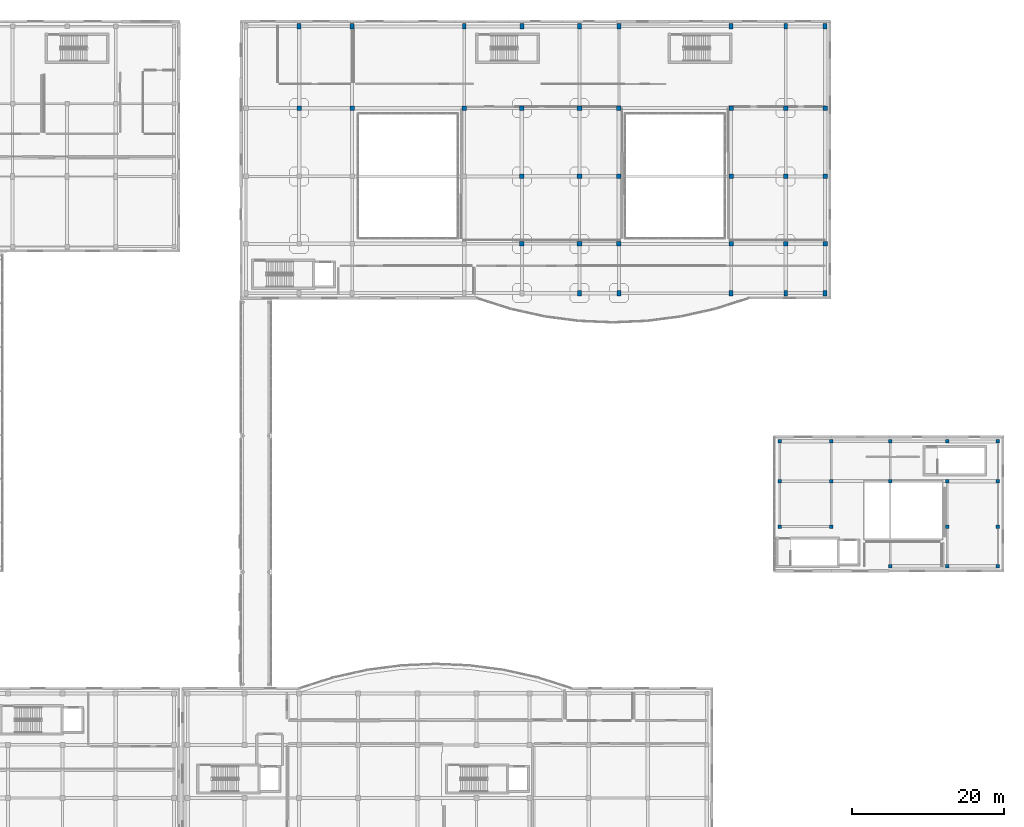
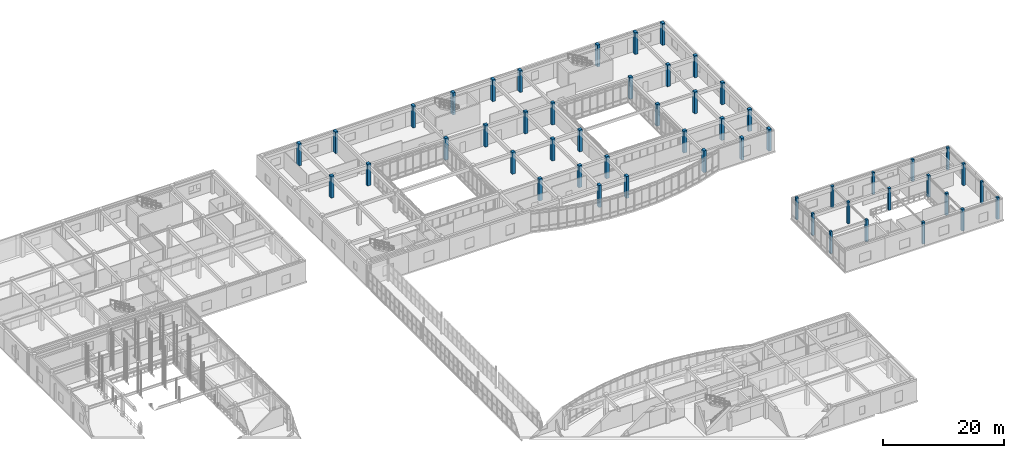
# One storey, part 13 of 142: 52 columns.
"""IFC4 building model written with IfcOpenShell, lengths in metres."""

import ifcopenshell
import ifcopenshell.guid

model = None  # the IFC model being written
_history = None  # IfcOwnerHistory: only IFC2X3 demands one
_inside = {}  # id of a spatial element -> (the spatial element, [elements in it])
_under = {}  # id of a project, library or spatial element -> (it, [spatial elements below it])
_declared = {}  # id of a project -> (the project, [libraries it declares])
_typed = {}  # id of a type object -> (the type object, [elements of that type])
_made_of = {}  # id of a material, layer set ... -> (it, [elements and type objects made of it])


def new_model(schema):
    """Start an empty IFC model of exactly this schema.

    Asked for "IFC4X3", IfcOpenShell would pick the latest addendum, in which some entities
    have other attributes; the version numbers below select the first issue.
    IFC2X3 requires an IfcOwnerHistory on every rooted entity: one is made here for all.
    """
    global model, _history
    if schema == "IFC4X3":
        model = ifcopenshell.file(schema_version=(4, 3, 0, 0))
    else:
        model = ifcopenshell.file(schema=schema)
    _inside.clear()
    _under.clear()
    _declared.clear()
    _typed.clear()
    _made_of.clear()
    _history = None
    if model.schema == "IFC2X3":
        org = make("IfcOrganization", Name="unknown")
        user = make(
            "IfcPersonAndOrganization",
            ThePerson=make("IfcPerson", FamilyName="unknown"),
            TheOrganization=org,
        )
        app = make(
            "IfcApplication",
            ApplicationDeveloper=org,
            Version="unknown",
            ApplicationFullName="unknown",
            ApplicationIdentifier="unknown",
        )
        _history = make(
            "IfcOwnerHistory",
            OwningUser=user,
            OwningApplication=app,
            ChangeAction="ADDED",
            CreationDate=0,
        )
    return model


def make(cls, **values):
    """One entity of the class cls with the attributes given. An attribute that is None is left unset."""
    return model.create_entity(
        cls, **{name: value for name, value in values.items() if value is not None}
    )


def rooted(cls, **values):
    """An entity with a GlobalId (a new one), such as an element, a storey or a relation."""
    return make(cls, GlobalId=ifcopenshell.guid.new(), OwnerHistory=_history, **values)


def si_unit(unit_type, name, prefix=None):
    """IfcSIUnit, for example si_unit("LENGTHUNIT", "METRE", prefix="MILLI")."""
    return make("IfcSIUnit", UnitType=unit_type, Prefix=prefix, Name=name)


def assignment(units):
    """IfcUnitAssignment: the units of a project."""
    return None if units is None else make("IfcUnitAssignment", Units=units)


def point(xyz):
    """IfcCartesianPoint."""
    return None if xyz is None else make("IfcCartesianPoint", Coordinates=xyz)


def direction(xyz):
    """IfcDirection."""
    return None if xyz is None else make("IfcDirection", DirectionRatios=xyz)


def frame(location, z_axis=None, x_axis=None):
    """IfcAxis2Placement3D, a coordinate frame: its origin and axes. An axis left out is left unset."""
    return make(
        "IfcAxis2Placement3D",
        Location=point(location),
        Axis=direction(z_axis),
        RefDirection=direction(x_axis),
    )


def frame_2d(location, x_axis=None):
    """IfcAxis2Placement2D, a coordinate frame in the plane: its origin and x axis."""
    return make(
        "IfcAxis2Placement2D", Location=point(location), RefDirection=direction(x_axis)
    )


def origin():
    """The frame at (0, 0, 0) with its axes left unset."""
    return frame((0.0, 0.0, 0.0))


def origin_2d():
    """The frame at (0, 0) in the plane with its x axis left unset."""
    return frame_2d((0.0, 0.0))


def place(relative_to, where):
    """IfcLocalPlacement: puts the frame where relative to a parent placement (None: the world)."""
    return make(
        "IfcLocalPlacement", PlacementRelTo=relative_to, RelativePlacement=where
    )


def context(
    kind, dimensions, precision=None, world=None, true_north=None, identifier=None
):
    """IfcGeometricRepresentationContext, for example the 3D "Model" context."""
    return make(
        "IfcGeometricRepresentationContext",
        ContextIdentifier=identifier,
        ContextType=kind,
        CoordinateSpaceDimension=dimensions,
        Precision=precision,
        WorldCoordinateSystem=world,
        TrueNorth=true_north,
    )


def subcontext(parent, identifier, kind, view, scale=None):
    """IfcGeometricRepresentationSubContext, for example "Body" below "Model"."""
    return make(
        "IfcGeometricRepresentationSubContext",
        ContextIdentifier=identifier,
        ContextType=kind,
        ParentContext=parent,
        TargetScale=scale,
        TargetView=view,
    )


def project(units=None, contexts=None):
    """IfcProject with its units and contexts."""
    return rooted(
        "IfcProject",
        Name="project",
        RepresentationContexts=contexts,
        UnitsInContext=assignment(units),
    )


def spatial(cls, under=None, at=None, **own):
    """A site, building, storey or space (cls), placed at a placement, below another one or the project."""
    s = rooted(cls, ObjectPlacement=at, **own)
    if under is not None:
        _under.setdefault(under.id(), (under, []))[1].append(s)
    return s


def profile(cls, at=None, kind="AREA", **sizes):
    """A parametric profile (cls). Its sizes go by their IFC names, for example OverallWidth=200.0."""
    return make(cls, ProfileType=kind, Position=at, **sizes)


def rectangle(**sizes):
    """IfcRectangleProfileDef."""
    return profile("IfcRectangleProfileDef", **sizes)


def extrude(swept, where, along, depth):
    """IfcExtrudedAreaSolid: the profile swept, set in the frame where, extruded along a direction by depth."""
    return make(
        "IfcExtrudedAreaSolid",
        SweptArea=swept,
        Position=where,
        ExtrudedDirection=direction(along),
        Depth=depth,
    )


def shape(context_of_items, identifier, shape_type, items):
    """IfcShapeRepresentation: the items that make up one representation, for example the "Body"."""
    return make(
        "IfcShapeRepresentation",
        ContextOfItems=context_of_items,
        RepresentationIdentifier=identifier,
        RepresentationType=shape_type,
        Items=items,
    )


def material(Name=None, Category=None):
    """IfcMaterial."""
    return make("IfcMaterial", Name=Name, Category=Category)


def material_profile(
    of_material, cross_section, Name=None, Category=None, Priority=None
):
    """IfcMaterialProfile: a cross section and its material."""
    return make(
        "IfcMaterialProfile",
        Name=Name,
        Material=of_material,
        Profile=cross_section,
        Priority=Priority,
        Category=Category,
    )


def profile_set(profiles, Name=None, composite=None):
    """IfcMaterialProfileSet."""
    return make(
        "IfcMaterialProfileSet",
        Name=Name,
        MaterialProfiles=profiles,
        CompositeProfile=composite,
    )


def made_of(thing, what):
    """Note that an element or type object is made of a material, layer set ...; save() writes the relation."""
    if what is not None:
        _made_of.setdefault(what.id(), (what, []))[1].append(thing)
    return thing


def type_object(cls, material=None, **own):
    """A type object (cls), such as IfcWallType, which elements share."""
    return made_of(rooted(cls, **own), material)


def element(
    cls,
    number,
    at=None,
    inside=None,
    cuts=None,
    type_object=None,
    material=None,
    context=None,
    identifier="Body",
    shape_type=None,
    held_by="IfcProductDefinitionShape",
    body=None,
    shapes=None,
    **own,
):
    """One element of the class cls, such as IfcWall. Its Tag is "e" and its number.

    at: its placement. inside: the storey or other place that contains it. cuts: it is an
    opening in that element (IfcRelVoidsElement). A single representation is given by context,
    identifier, shape_type and body (its items); several are given by shapes. held_by: the class
    of the entity that holds the representations. save() writes the other relations.
    """
    e = rooted(cls, Tag="e%d" % number, ObjectPlacement=at, **own)
    if body is not None:
        shapes = [shape(context, identifier, shape_type, body)]
    if shapes is not None:
        e.Representation = make(held_by, Representations=shapes)
    if inside is not None:
        _inside.setdefault(inside.id(), (inside, []))[1].append(e)
    if cuts is not None:
        rooted(
            "IfcRelVoidsElement", RelatingBuildingElement=cuts, RelatedOpeningElement=e
        )
    if type_object is not None:
        _typed.setdefault(type_object.id(), (type_object, []))[1].append(e)
    return made_of(e, material)


def aggregate(whole, parts):
    """IfcRelAggregates: a whole, such as a stair, and the parts it consists of."""
    return rooted("IfcRelAggregates", RelatingObject=whole, RelatedObjects=parts)


def save(model, path):
    """Write the relations noted so far, then the file.

    IfcRelAggregates (storeys below a building ...), IfcRelContainedInSpatialStructure (elements
    in a storey), IfcRelDefinesByType, IfcRelAssociatesMaterial and IfcRelDeclares: one each for
    every whole, place, type object, material and project.
    """
    for whole, parts in _under.values():
        aggregate(whole, parts)
    for where, things in _inside.values():
        rooted(
            "IfcRelContainedInSpatialStructure",
            RelatedElements=things,
            RelatingStructure=where,
        )
    for kind, things in _typed.values():
        rooted("IfcRelDefinesByType", RelatedObjects=things, RelatingType=kind)
    for what, things in _made_of.values():
        rooted("IfcRelAssociatesMaterial", RelatedObjects=things, RelatingMaterial=what)
    for by, libraries in _declared.values():
        rooted("IfcRelDeclares", RelatingContext=by, RelatedDefinitions=libraries)
    model.write(path)


model = new_model("IFC4")

# Units and contexts
model_context = context("Model", 3, precision=1e-05, world=origin(), true_north=direction((0.0, 1.0)))
body_context = subcontext(model_context, "Body", "Model", "MODEL_VIEW")
ifc_project = project(units=[si_unit("LENGTHUNIT", "METRE"), si_unit("AREAUNIT", "SQUARE_METRE"), si_unit("VOLUMEUNIT", "CUBIC_METRE"), si_unit("PLANEANGLEUNIT", "RADIAN"), si_unit("MASSUNIT", "GRAM", prefix="KILO")], contexts=[model_context])

# Site, building, storey
site_placement = place(None, origin())
site = spatial("IfcSite", under=ifc_project, at=site_placement, CompositionType="ELEMENT")
building_placement = place(site_placement, origin())
building = spatial("IfcBuilding", under=site, at=building_placement, Name="Valcora Specialist Clinic", CompositionType="ELEMENT")
storey_placement = place(building_placement, frame((0.0, 0.0, 5.10009765625)))
storey = spatial("IfcBuildingStorey", under=building, at=storey_placement, Name="L01", CompositionType="ELEMENT", Elevation=5.10009765625)

# Columns
ifc_material = material(Name="Concrete C40/50", Category="concrete")
ifc_material_profile_1 = material_profile(ifc_material, rectangle(XDim=0.449951171875, YDim=0.449951171875, at=origin_2d()), Name="RC-COL-450X450")
ifc_profile_set_1 = profile_set([ifc_material_profile_1], Name="Concrete C40/50")
column_type_1 = type_object("IfcColumnType", Name="TY-COL-RC450", PredefinedType="COLUMN", material=ifc_profile_set_1)
for number, where, z_axis, x_axis, name in (
    (1, (132.39990234375, 44.0, 0.0), (0.0, 0.0, 1.0), (1.0, 0.0, 0.0), "Column COL-L01-0251"),
    (2, (132.39990234375, 50.0, 0.0), (0.0, 0.0, 1.0), (1.0, 0.0, 0.0), "Column COL-L01-0254"),
    (3, (132.39990234375, 55.25, 0.0), (0.0, 0.0, 1.0), (1.0, 0.0, 0.0), "Column COL-L01-0257"),
    (4, (139.199951171875, 44.0, 0.0), (0.0, 0.0, 1.0), (1.0, 0.0, 0.0), "Column COL-L01-0260"),
    (5, (139.199951171875, 50.0, 0.0), (0.0, 0.0, 1.0), (1.0, 0.0, 0.0), "Column COL-L01-0263"),
    (6, (139.199951171875, 55.25, 0.0), (0.0, 0.0, 1.0), (1.0, 0.0, 0.0), "Column COL-L01-0266"),
    (7, (147.0, 38.75, 0.0), (0.0, 0.0, 1.0), (1.0, 0.0, 0.0), "Column COL-L01-0269"),
    (8, (147.0, 50.0, 0.0), (0.0, 0.0, 1.0), (1.0, 0.0, 0.0), "Column COL-L01-0274"),
    (9, (147.0, 55.25, 0.0), (0.0, 0.0, 1.0), (1.0, 0.0, 0.0), "Column COL-L01-0277"),
    (10, (154.5, 38.75, 0.0), (0.0, 0.0, 1.0), (1.0, 0.0, 0.0), "Column COL-L01-0280"),
    (11, (154.5, 50.0, 0.0), (0.0, 0.0, 1.0), (1.0, 0.0, 0.0), "Column COL-L01-0285"),
    (12, (154.5, 55.25, 0.0), (0.0, 0.0, 1.0), (1.0, 0.0, 0.0), "Column COL-L01-0288"),
    (13, (161.199951171875, 38.75, 0.0), (0.0, 0.0, 1.0), (1.0, 0.0, 0.0), "Column COL-L01-0291"),
    (14, (161.199951171875, 44.0, 0.0), (0.0, 0.0, 1.0), (1.0, 0.0, 0.0), "Column COL-L01-0294"),
    (15, (161.199951171875, 50.0, 0.0), (0.0, 0.0, 1.0), (1.0, 0.0, 0.0), "Column COL-L01-0297"),
    (16, (161.199951171875, 55.25, 0.0), (0.0, 0.0, 1.0), (1.0, 0.0, 0.0), "Column COL-L01-0300"),
    (17, (154.5, 44.0, 0.0), (0.0, 0.0, 1.0), (1.0, 0.0, 0.0), "Column COL-V3SUP-L01"),
):
    element("IfcColumn", number, at=place(storey_placement, frame(where, z_axis=z_axis, x_axis=x_axis)), inside=storey, type_object=column_type_1, Name=name, PredefinedType="COLUMN", context=body_context, shape_type="SweptSolid", body=[
        extrude(rectangle(XDim=0.449951171875, YDim=0.449951171875, at=origin_2d()), origin(), (0.0, 0.0, 1.0), 4.419921875),
    ])
ifc_material_profile_2 = material_profile(ifc_material, rectangle(XDim=0.5, YDim=0.75, at=origin_2d()), Name="RC-COL-500X750")
ifc_profile_set_2 = profile_set([ifc_material_profile_2], Name="Concrete C40/50")
column_type_2 = type_object("IfcColumnType", Name="TY-COL-RC500X750", PredefinedType="COLUMN", material=ifc_profile_set_2)
for number, where, z_axis, x_axis, name in (
    (18, (69.0, 110.0, 0.0), (0.0, 0.0, 1.0), (1.0, 0.0, 0.0), "Column COL-L01-0348"),
    (19, (76.0, 110.0, 0.0), (0.0, 0.0, 1.0), (1.0, 0.0, 0.0), "Column COL-L01-0373"),
    (20, (90.800048828125, 110.0, 0.0), (0.0, 0.0, 1.0), (1.0, 0.0, 0.0), "Column COL-L01-0398"),
    (21, (98.39990234375, 110.0, 0.0), (0.0, 0.0, 1.0), (1.0, 0.0, 0.0), "Column COL-L01-0423"),
    (22, (106.0, 74.800048828125, 0.0), (0.0, 0.0, 1.0), (1.0, 0.0, 0.0), "Column COL-L01-0428"),
    (23, (106.0, 110.0, 0.0), (0.0, 0.0, 1.0), (1.0, 0.0, 0.0), "Column COL-L01-0448"),
    (24, (111.199951171875, 74.800048828125, 0.0), (0.0, 0.0, 1.0), (1.0, 0.0, 0.0), "Column COL-L01-0453"),
    (25, (111.199951171875, 110.0, 0.0), (0.0, 0.0, 1.0), (1.0, 0.0, 0.0), "Column COL-L01-0473"),
    (26, (126.0, 74.800048828125, 0.0), (0.0, 0.0, 1.0), (1.0, 0.0, 0.0), "Column COL-L01-0478"),
    (27, (126.0, 110.0, 0.0), (0.0, 0.0, 1.0), (1.0, 0.0, 0.0), "Column COL-L01-0498"),
    (28, (133.199951171875, 74.800048828125, 0.0), (0.0, 0.0, 1.0), (1.0, 0.0, 0.0), "Column COL-L01-0503"),
    (29, (133.199951171875, 110.0, 0.0), (0.0, 0.0, 1.0), (1.0, 0.0, 0.0), "Column COL-L01-0519"),
    (30, (138.39990234375, 74.800048828125, 0.0), (0.0, 0.0, 1.0), (1.0, 0.0, 0.0), "Column COL-L01-0523"),
    (31, (138.39990234375, 110.0, 0.0), (0.0, 0.0, 1.0), (1.0, 0.0, 0.0), "Column COL-L01-0535"),
):
    element("IfcColumn", number, at=place(storey_placement, frame(where, z_axis=z_axis, x_axis=x_axis)), inside=storey, type_object=column_type_2, Name=name, PredefinedType="COLUMN", context=body_context, shape_type="SweptSolid", body=[
        extrude(rectangle(XDim=0.5, YDim=0.75, at=origin_2d()), origin(), (0.0, 0.0, 1.0), 4.419921875),
    ])
ifc_material_profile_3 = material_profile(ifc_material, rectangle(XDim=0.60009765625, YDim=0.60009765625, at=origin_2d()), Name="RC-COL-600X600")
ifc_profile_set_3 = profile_set([ifc_material_profile_3], Name="Concrete C40/50")
column_type_3 = type_object("IfcColumnType", Name="TY-COL-RC600", PredefinedType="COLUMN", material=ifc_profile_set_3)
for number, where, z_axis, x_axis, name in (
    (32, (69.0, 99.199951171875, 0.0), (0.0, 0.0, 1.0), (1.0, 0.0, 0.0), "Column COL-L01-0343"),
    (33, (76.0, 99.199951171875, 0.0), (0.0, 0.0, 1.0), (1.0, 0.0, 0.0), "Column COL-L01-0368"),
    (34, (90.800048828125, 99.199951171875, 0.0), (0.0, 0.0, 1.0), (1.0, 0.0, 0.0), "Column COL-L01-0393"),
    (35, (98.39990234375, 81.300048828125, 0.0), (0.0, 0.0, 1.0), (1.0, 0.0, 0.0), "Column COL-L01-0408"),
    (36, (98.39990234375, 90.199951171875, 0.0), (0.0, 0.0, 1.0), (1.0, 0.0, 0.0), "Column COL-L01-0413"),
    (37, (98.39990234375, 99.199951171875, 0.0), (0.0, 0.0, 1.0), (1.0, 0.0, 0.0), "Column COL-L01-0418"),
    (38, (106.0, 81.300048828125, 0.0), (0.0, 0.0, 1.0), (1.0, 0.0, 0.0), "Column COL-L01-0433"),
    (39, (106.0, 90.199951171875, 0.0), (0.0, 0.0, 1.0), (1.0, 0.0, 0.0), "Column COL-L01-0438"),
    (40, (106.0, 99.199951171875, 0.0), (0.0, 0.0, 1.0), (1.0, 0.0, 0.0), "Column COL-L01-0443"),
    (41, (111.199951171875, 81.300048828125, 0.0), (0.0, 0.0, 1.0), (1.0, 0.0, 0.0), "Column COL-L01-0458"),
    (42, (111.199951171875, 90.199951171875, 0.0), (0.0, 0.0, 1.0), (1.0, 0.0, 0.0), "Column COL-L01-0463"),
    (43, (111.199951171875, 99.199951171875, 0.0), (0.0, 0.0, 1.0), (1.0, 0.0, 0.0), "Column COL-L01-0468"),
    (44, (126.0, 81.300048828125, 0.0), (0.0, 0.0, 1.0), (1.0, 0.0, 0.0), "Column COL-L01-0483"),
    (45, (126.0, 90.199951171875, 0.0), (0.0, 0.0, 1.0), (1.0, 0.0, 0.0), "Column COL-L01-0488"),
    (46, (126.0, 99.199951171875, 0.0), (0.0, 0.0, 1.0), (1.0, 0.0, 0.0), "Column COL-L01-0493"),
    (47, (133.199951171875, 81.300048828125, 0.0), (0.0, 0.0, 1.0), (1.0, 0.0, 0.0), "Column COL-L01-0507"),
    (48, (133.199951171875, 90.199951171875, 0.0), (0.0, 0.0, 1.0), (1.0, 0.0, 0.0), "Column COL-L01-0511"),
    (49, (133.199951171875, 99.199951171875, 0.0), (0.0, 0.0, 1.0), (1.0, 0.0, 0.0), "Column COL-L01-0515"),
    (50, (138.39990234375, 81.300048828125, 0.0), (0.0, 0.0, 1.0), (1.0, 0.0, 0.0), "Column COL-L01-0526"),
    (51, (138.39990234375, 90.199951171875, 0.0), (0.0, 0.0, 1.0), (1.0, 0.0, 0.0), "Column COL-L01-0529"),
    (52, (138.39990234375, 99.199951171875, 0.0), (0.0, 0.0, 1.0), (1.0, 0.0, 0.0), "Column COL-L01-0532"),
):
    element("IfcColumn", number, at=place(storey_placement, frame(where, z_axis=z_axis, x_axis=x_axis)), inside=storey, type_object=column_type_3, Name=name, PredefinedType="COLUMN", context=body_context, shape_type="SweptSolid", body=[
        extrude(rectangle(XDim=0.60009765625, YDim=0.60009765625, at=origin_2d()), origin(), (0.0, 0.0, 1.0), 4.419921875),
    ])

save(model, "model.ifc")
